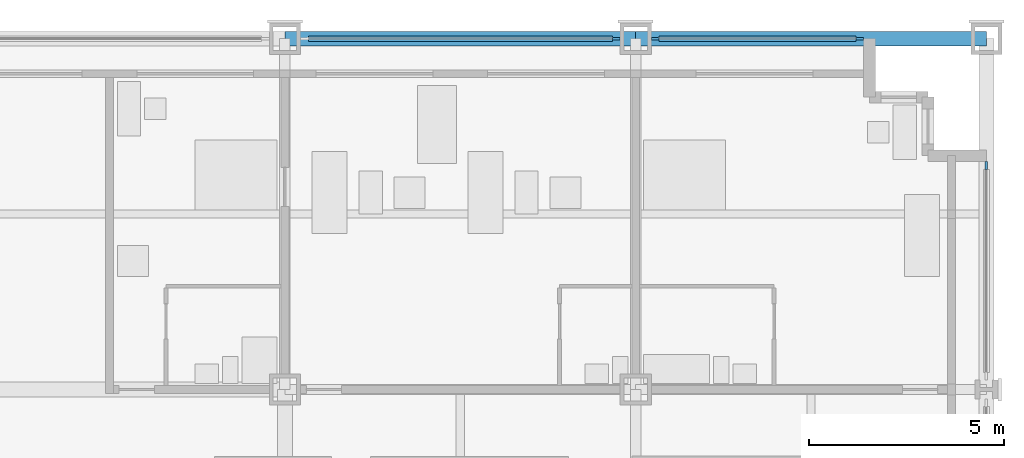
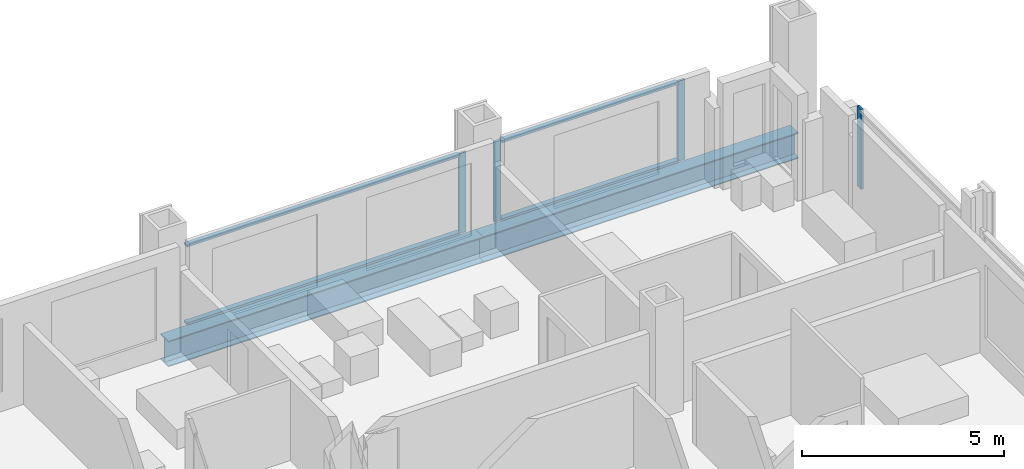
# One storey, part 8 of 18: 8 members, 2 beams, 3 elements without a shape of their own.
"""IFC4 building model written with IfcOpenShell, lengths in metres."""

from ifc_helpers import new_model, si_unit, direction, frame, origin, origin_2d, place, context, subcontext, project, spatial, rectangle, i_section, extrude, material, material_profile, profile_set, type_object, element, aggregate, save


model = new_model("IFC4")

# Units and contexts
model_context = context("Model", 3, precision=1e-05, world=origin(), true_north=direction((0.0, 1.0)))
body_context = subcontext(model_context, "Body", "Model", "MODEL_VIEW")
ifc_project = project(units=[si_unit("LENGTHUNIT", "METRE"), si_unit("AREAUNIT", "SQUARE_METRE"), si_unit("VOLUMEUNIT", "CUBIC_METRE"), si_unit("PLANEANGLEUNIT", "RADIAN"), si_unit("MASSUNIT", "GRAM", prefix="KILO")], contexts=[model_context])

# Site, building, storey
site_placement = place(None, origin())
site = spatial("IfcSite", under=ifc_project, at=site_placement, CompositionType="ELEMENT")
building_placement = place(site_placement, origin())
building = spatial("IfcBuilding", under=site, at=building_placement, Name="Loomwork Tower", CompositionType="ELEMENT")
storey_placement = place(building_placement, frame((0.0, 0.0, 45.0)))
storey = spatial("IfcBuildingStorey", under=building, at=storey_placement, Name="L10", CompositionType="ELEMENT", Elevation=45.0)

# Curtain wall, member
ifc_material_1 = material(Name="Aluminium curtain wall frame", Category="aluminium")
curtain_wall_type = type_object("IfcCurtainWallType", Name="Outer skin glazing hotel", PredefinedType="NOTDEFINED", material=ifc_material_1)
curtain_wall_1_placement = place(storey_placement, origin())
curtain_wall_1 = element("IfcCurtainWall", 1, at=curtain_wall_1_placement, inside=storey, type_object=curtain_wall_type, Name="Outer skin glazing hotel cw/N-36", PredefinedType="NOTDEFINED")
ifc_material_2 = material(Name="Aluminium curtain wall frame", Category="aluminium")
ifc_material_profile_1 = material_profile(ifc_material_2, rectangle(XDim=0.06494140625, YDim=0.199951171875, at=origin_2d()), Name="AL 65x200")
ifc_profile_set_1 = profile_set([ifc_material_profile_1], Name="Aluminium curtain wall frame")
member_type_1 = type_object("IfcMemberType", Name="Outer skin glazing hotel mullion", PredefinedType="MULLION", material=ifc_profile_set_1)
member_1_placement = place(storey_placement, frame((44.5, 36.0, 0.0), z_axis=(0.0, 0.0, 1.0), x_axis=(0.0, -1.0, 0.0)))
member_1 = element("IfcMember", 2, at=member_1_placement, type_object=member_type_1, Name="CW1 mullion 1", PredefinedType="MULLION", context=body_context, shape_type="SweptSolid", body=[
    extrude(rectangle(XDim=0.06494140625, YDim=0.199951171875, at=origin_2d()), origin(), (0.0, 0.0, 1.0), 2.420166015625),
])

# Curtain wall, members
curtain_wall_2_placement = place(storey_placement, origin())
curtain_wall_2 = element("IfcCurtainWall", 3, at=curtain_wall_2_placement, inside=storey, type_object=curtain_wall_type, Name="Outer skin glazing hotel cw/N-45", PredefinedType="NOTDEFINED")
member_2_placement = place(storey_placement, frame((50.75, 36.0, 0.0), z_axis=(0.0, 0.0, 1.0), x_axis=(0.0, -1.0, 0.0)))
member_2 = element("IfcMember", 4, at=member_2_placement, type_object=member_type_1, Name="CW1 mullion 1", PredefinedType="MULLION", context=body_context, shape_type="SweptSolid", body=[
    extrude(rectangle(XDim=0.06494140625, YDim=0.199951171875, at=origin_2d()), origin(), (0.0, 0.0, 1.0), 2.420166015625),
])
member_3_placement = place(storey_placement, frame((45.5, 36.0, 0.0), z_axis=(0.0, 0.0, 1.0), x_axis=(0.0, -1.0, 0.0)))
member_3 = element("IfcMember", 5, at=member_3_placement, type_object=member_type_1, Name="CW1 mullion 2", PredefinedType="MULLION", context=body_context, shape_type="SweptSolid", body=[
    extrude(rectangle(XDim=0.06494140625, YDim=0.199951171875, at=origin_2d()), origin(), (0.0, 0.0, 1.0), 2.420166015625),
])

# Curtain wall, member
curtain_wall_3_placement = place(storey_placement, origin())
curtain_wall_3 = element("IfcCurtainWall", 6, at=curtain_wall_3_placement, inside=storey, type_object=curtain_wall_type, Name="Outer skin glazing hotel cw/E-27", PredefinedType="NOTDEFINED")
member_4_placement = place(storey_placement, frame((54.0, 32.75, 0.0), z_axis=(0.0, 0.0, 1.0), x_axis=(-1.0, 0.0, 0.0)))
member_4 = element("IfcMember", 7, at=member_4_placement, type_object=member_type_1, Name="CW1 mullion 2", PredefinedType="MULLION", context=body_context, shape_type="SweptSolid", body=[
    extrude(rectangle(XDim=0.06494140625, YDim=0.199951171875, at=origin_2d()), origin(), (0.0, 0.0, 1.0), 2.420166015625),
])
aggregate(curtain_wall_3, [member_4])

# Member
ifc_material_3 = material(Name="Aluminium curtain wall frame", Category="aluminium")
ifc_material_profile_2 = material_profile(ifc_material_3, rectangle(XDim=0.14990234375, YDim=0.06494140625, at=origin_2d()), Name="AL 65x150")
ifc_profile_set_2 = profile_set([ifc_material_profile_2], Name="Aluminium curtain wall frame")
member_type_2 = type_object("IfcMemberType", Name="Outer skin glazing hotel transom", PredefinedType="USERDEFINED", material=ifc_profile_set_2)
member_5_placement = place(storey_placement, frame((44.39990234375, 36.0, 0.032470703125), z_axis=(-1.0, 0.0, 0.0), x_axis=(0.0, -1.0, 0.0)))
member_5 = element("IfcMember", 8, at=member_5_placement, type_object=member_type_2, Name="CW1 transom 1.1", ObjectType="TRANSOM", PredefinedType="USERDEFINED", context=body_context, shape_type="SweptSolid", body=[
    extrude(rectangle(XDim=0.14990234375, YDim=0.06494140625, at=origin_2d()), origin(), (0.0, 0.0, 1.0), 7.7998046875),
])

member_6_placement = place(storey_placement, frame((44.39990234375, 36.0, 2.3876953125), z_axis=(-1.0, 0.0, 0.0), x_axis=(0.0, -1.0, 0.0)))
member_6 = element("IfcMember", 9, at=member_6_placement, type_object=member_type_2, Name="CW1 transom 1.2", ObjectType="TRANSOM", PredefinedType="USERDEFINED", context=body_context, shape_type="SweptSolid", body=[
    extrude(rectangle(XDim=0.14990234375, YDim=0.06494140625, at=origin_2d()), origin(), (0.0, 0.0, 1.0), 7.7998046875),
])

aggregate(curtain_wall_1, [member_1, member_5, member_6])

member_7_placement = place(storey_placement, frame((50.64990234375, 36.0, 0.032470703125), z_axis=(-1.0, 0.0, 0.0), x_axis=(0.0, -1.0, 0.0)))
member_7 = element("IfcMember", 10, at=member_7_placement, type_object=member_type_2, Name="CW1 transom 1.1", ObjectType="TRANSOM", PredefinedType="USERDEFINED", context=body_context, shape_type="SweptSolid", body=[
    extrude(rectangle(XDim=0.14990234375, YDim=0.06494140625, at=origin_2d()), origin(), (0.0, 0.0, 1.0), 5.0498046875),
])

member_8_placement = place(storey_placement, frame((50.64990234375, 36.0, 2.3876953125), z_axis=(-1.0, 0.0, 0.0), x_axis=(0.0, -1.0, 0.0)))
member_8 = element("IfcMember", 11, at=member_8_placement, type_object=member_type_2, Name="CW1 transom 1.2", ObjectType="TRANSOM", PredefinedType="USERDEFINED", context=body_context, shape_type="SweptSolid", body=[
    extrude(rectangle(XDim=0.14990234375, YDim=0.06494140625, at=origin_2d()), origin(), (0.0, 0.0, 1.0), 5.0498046875),
])

aggregate(curtain_wall_2, [member_2, member_3, member_7, member_8])

# Beams
ifc_material_4 = material(Name="Steel ASTM A992", Category="steel")
ifc_material_profile_3 = material_profile(ifc_material_4, i_section(OverallWidth=0.381103515625, OverallDepth=0.77978515625, WebThickness=0.01806640625, FlangeThickness=0.0302734375, at=origin_2d()), Name="W30x191")
ifc_profile_set_3 = profile_set([ifc_material_profile_3], Name="Steel ASTM A992")
beam_type = type_object("IfcBeamType", Name="SPANDREL GIRDER W30x191", PredefinedType="SPANDREL", material=ifc_profile_set_3)
for number, where, z_axis, x_axis, name in (
    (12, (36.0, 36.0, -0.58984375), (1.0, 0.0, 0.0), (0.0, 1.0, 0.0), "Spandrel Girder H/6-H/7 L10"),
    (13, (45.0, 36.0, -0.58984375), (1.0, 0.0, 0.0), (0.0, 1.0, 0.0), "Spandrel Girder H/7-H/8 L10"),
):
    element("IfcBeam", number, at=place(storey_placement, frame(where, z_axis=z_axis, x_axis=x_axis)), inside=storey, type_object=beam_type, Name=name, PredefinedType="SPANDREL", context=body_context, shape_type="SweptSolid", body=[
        extrude(i_section(OverallWidth=0.381103515625, OverallDepth=0.77978515625, WebThickness=0.01806640625, FlangeThickness=0.0302734375, at=origin_2d()), origin(), (0.0, 0.0, 1.0), 9.0),
    ])

save(model, "model.ifc")
